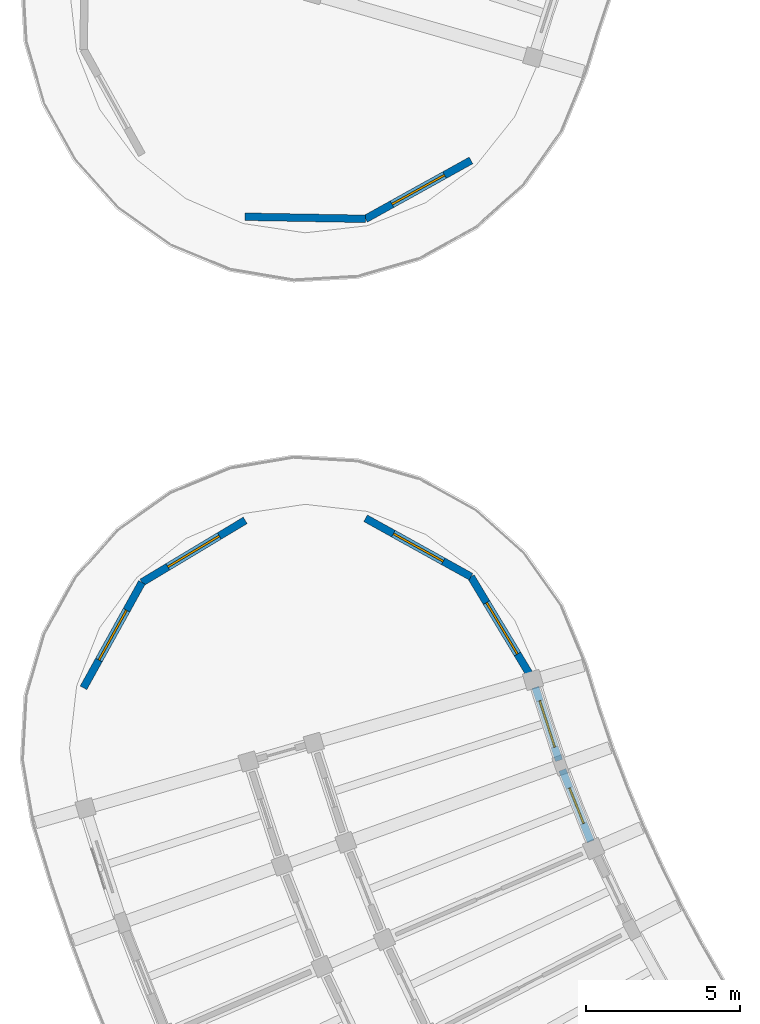
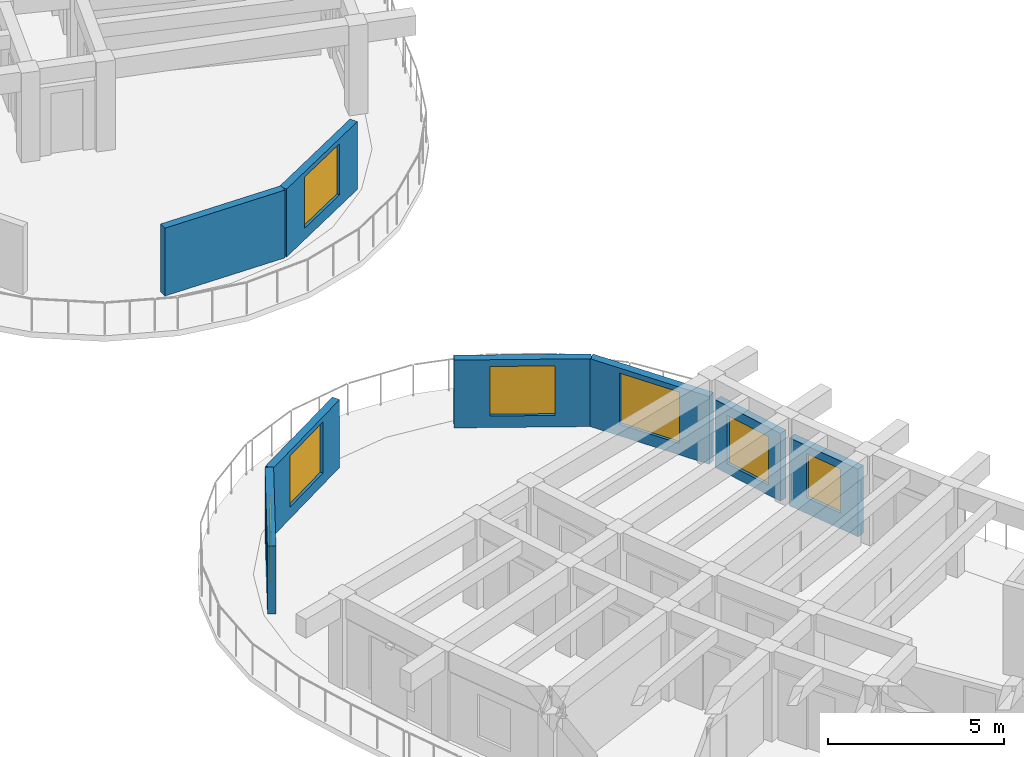
# One storey, part 44 of 81: 8 walls, 7 windows, 7 openings.
"""IFC4 building model written with IfcOpenShell, lengths in metres."""

from ifc_helpers import new_model, si_unit, direction, frame, frame_2d, origin, place, context, subcontext, project, spatial, rectangle, extrude, material, layer, layer_set, type_object, element, fill, save


model = new_model("IFC4")

# Units and contexts
model_context = context("Model", 3, precision=1e-05, world=origin(), true_north=direction((0.0, 1.0)))
body_context = subcontext(model_context, "Body", "Model", "MODEL_VIEW")
ifc_project = project(units=[si_unit("LENGTHUNIT", "METRE"), si_unit("AREAUNIT", "SQUARE_METRE"), si_unit("VOLUMEUNIT", "CUBIC_METRE"), si_unit("PLANEANGLEUNIT", "RADIAN"), si_unit("MASSUNIT", "GRAM", prefix="KILO")], contexts=[model_context])

# Site, building, storey
site_placement = place(None, origin())
site = spatial("IfcSite", under=ifc_project, at=site_placement, CompositionType="ELEMENT")
building_placement = place(site_placement, origin())
building = spatial("IfcBuilding", under=site, at=building_placement, Name="Tanwirah Colonnade Gardens", CompositionType="ELEMENT")
storey_placement = place(building_placement, frame((0.0, 0.0, 8.840087890625)))
storey = spatial("IfcBuildingStorey", under=building, at=storey_placement, Name="L02", CompositionType="ELEMENT", Elevation=8.840087890625)

# Wall, opening, window
ifc_material_1 = material(Name="Limestone architectural precast concrete C40/50", Category="masonry")
ifc_layer = layer(ifc_material_1, 0.2451171875)
ifc_layer_set = layer_set([ifc_layer], Name="Limestone architectural precast concrete C40/50")
wall_type = type_object("IfcWallType", Name="EW-PC245", PredefinedType="SOLIDWALL", material=ifc_layer_set)
wall_1_placement = place(storey_placement, frame((20.259033203125, 69.10205078125, 0.0), z_axis=(0.0, 0.0, 1.0), x_axis=(-0.874643043537, -0.484767517881, 0.0)))
wall_1 = element("IfcWall", 1, at=wall_1_placement, inside=storey, type_object=wall_type, Name="Block A L02 END Rounded End Wall 1", PredefinedType="SOLIDWALL", context=body_context, shape_type="SweptSolid", body=[
    extrude(rectangle(XDim=3.908203125, YDim=0.2451171875, at=frame_2d((1.9541015625, 0.0))), origin(), (0.0, 0.0, 1.0), 2.35498046875),
])
opening_1_placement = place(wall_1_placement, frame((0.97900390625, 0.0, 0.39990234375)))
opening_1 = element("IfcOpeningElement", 2, at=opening_1_placement, cuts=wall_1, Name="Opening WIN-END2", PredefinedType="OPENING", context=body_context, shape_type="SweptSolid", body=[
    extrude(rectangle(XDim=1.949951171875, YDim=1.780029296875, at=frame_2d((0.97509765625, 0.89013671875))), frame((0.0, 0.132568359375, 0.0), z_axis=(0.0, -1.0, 0.0), x_axis=(1.0, 0.0, 0.0)), (0.0, 0.0, 1.0), 0.26513671875),
])
ifc_material_2 = material(Name="Thermally broken bronze aluminium and solar low-E double glazing", Category="aluminium")
window_type_1 = type_object("IfcWindowType", Name="WIN-END2", PartitioningType="TRIPLE_PANEL_VERTICAL", PredefinedType="WINDOW", material=ifc_material_2)
window_1_placement = place(opening_1_placement, origin())
window_1 = element("IfcWindow", 3, at=window_1_placement, inside=storey, type_object=window_type_1, Name="Rounded corner window A-L02-END-1", OverallHeight=1.780029296875, OverallWidth=1.949951171875, PartitioningType="SINGLE_PANEL", PredefinedType="WINDOW", context=body_context, shape_type="SweptSolid", body=[
    extrude(rectangle(XDim=1.949951171875, YDim=1.780029296875, at=frame_2d((0.97509765625, 0.89013671875))), frame((0.0, 0.030029296875, 0.0), z_axis=(0.0, -1.0, 0.0), x_axis=(1.0, 0.0, 0.0)), (0.0, 0.0, 1.0), 0.06005859375),
])
fill(opening_1, window_1)

# Wall
wall_2_placement = place(storey_placement, frame((16.8408203125, 67.20751953125, 0.0), z_axis=(0.0, 0.0, 1.0), x_axis=(-0.999848096392, 0.017429404492, 0.0)))
element("IfcWall", 4, at=wall_2_placement, inside=storey, type_object=wall_type, Name="Block A L02 END Rounded End Wall 2", PredefinedType="SOLIDWALL", context=body_context, shape_type="SweptSolid", body=[
    extrude(rectangle(XDim=3.907958984375, YDim=0.2451171875, at=frame_2d((1.9541015625, 0.0))), origin(), (0.0, 0.0, 1.0), 2.35498046875),
])

# Wall, opening, window
wall_3_placement = place(storey_placement, frame((22.3486328125, 52.010009765625, 0.0), z_axis=(0.0, 0.0, 1.0), x_axis=(0.306979942778, -0.951715984279, 0.0)))
wall_3 = element("IfcWall", 5, at=wall_3_placement, inside=storey, type_object=wall_type, Name="Block C L02 IN Precast Facade Wall 0", PredefinedType="SOLIDWALL", context=body_context, shape_type="SweptSolid", body=[
    extrude(rectangle(XDim=2.498779296875, YDim=0.2451171875, at=frame_2d((1.24951171875, 0.0))), origin(), (0.0, 0.0, 1.0), 2.35498046875),
])
opening_2_placement = place(wall_3_placement, frame((0.45947265625, 0.0, 0.35009765625)))
opening_2 = element("IfcOpeningElement", 6, at=opening_2_placement, cuts=wall_3, Name="Opening WIN-T20", PredefinedType="OPENING", context=body_context, shape_type="SweptSolid", body=[
    extrude(rectangle(XDim=1.580078125, YDim=1.679931640625, at=frame_2d((0.7900390625, 0.83984375))), frame((0.0, 0.132568359375, 0.0), z_axis=(0.0, -1.0, 0.0), x_axis=(1.0, 0.0, 0.0)), (0.0, 0.0, 1.0), 0.26513671875),
])
window_type_2 = type_object("IfcWindowType", Name="WIN-T20", PartitioningType="DOUBLE_PANEL_VERTICAL", PredefinedType="WINDOW", material=ifc_material_2)
window_2_placement = place(opening_2_placement, origin())
window_2 = element("IfcWindow", 7, at=window_2_placement, inside=storey, type_object=window_type_2, Name="Facade window C-L02-IN-00", OverallHeight=1.679931640625, OverallWidth=1.580078125, PartitioningType="SINGLE_PANEL", PredefinedType="WINDOW", context=body_context, shape_type="SweptSolid", body=[
    extrude(rectangle(XDim=1.580078125, YDim=1.679931640625, at=frame_2d((0.7900390625, 0.83984375))), frame((0.0, 0.030029296875, 0.0), z_axis=(0.0, -1.0, 0.0), x_axis=(1.0, 0.0, 0.0)), (0.0, 0.0, 1.0), 0.06005859375),
])
fill(opening_2, window_2)

wall_4_placement = place(storey_placement, frame((23.2236328125, 49.330810546875, 0.0), z_axis=(0.0, 0.0, 1.0), x_axis=(0.368558756085, -0.9296044553, 0.0)))
wall_4 = element("IfcWall", 8, at=wall_4_placement, inside=storey, type_object=wall_type, Name="Block C L02 IN Precast Facade Wall 1", PredefinedType="SOLIDWALL", context=body_context, shape_type="SweptSolid", body=[
    extrude(rectangle(XDim=2.49853515625, YDim=0.2451171875, at=frame_2d((1.249267578125, 0.0))), origin(), (0.0, 0.0, 1.0), 2.35498046875),
])
opening_3_placement = place(wall_4_placement, frame((0.62939453125, 0.0, 0.550048828125)))
opening_3 = element("IfcOpeningElement", 9, at=opening_3_placement, cuts=wall_4, Name="Opening WIN-U03", PredefinedType="OPENING", context=body_context, shape_type="SweptSolid", body=[
    extrude(rectangle(XDim=1.239990234375, YDim=1.534912109375, at=frame_2d((0.6201171875, 0.767578125))), frame((0.0, 0.132568359375, 0.0), z_axis=(0.0, -1.0, 0.0), x_axis=(1.0, 0.0, 0.0)), (0.0, 0.0, 1.0), 0.26513671875),
])
window_type_3 = type_object("IfcWindowType", Name="WIN-U03", PartitioningType="DOUBLE_PANEL_VERTICAL", PredefinedType="WINDOW", material=ifc_material_2)
window_3_placement = place(opening_3_placement, origin())
window_3 = element("IfcWindow", 10, at=window_3_placement, inside=storey, type_object=window_type_3, Name="Facade window C-L02-IN-01", OverallHeight=1.534912109375, OverallWidth=1.239990234375, PartitioningType="SINGLE_PANEL", PredefinedType="WINDOW", context=body_context, shape_type="SweptSolid", body=[
    extrude(rectangle(XDim=1.239990234375, YDim=1.534912109375, at=frame_2d((0.6201171875, 0.767578125))), frame((0.0, 0.030029296875, 0.0), z_axis=(0.0, -1.0, 0.0), x_axis=(1.0, 0.0, 0.0)), (0.0, 0.0, 1.0), 0.06005859375),
])
fill(opening_3, window_3)

wall_5_placement = place(storey_placement, frame((7.688720703125, 51.993408203125, 0.0), z_axis=(0.0, 0.0, 1.0), x_axis=(0.48481530532, 0.874616555828, 0.0)))
wall_5 = element("IfcWall", 11, at=wall_5_placement, inside=storey, type_object=wall_type, Name="Block C L02 START Rounded End Wall 1", PredefinedType="SOLIDWALL", context=body_context, shape_type="SweptSolid", body=[
    extrude(rectangle(XDim=3.908203125, YDim=0.2451171875, at=frame_2d((1.9541015625, 0.0))), origin(), (0.0, 0.0, 1.0), 2.35498046875),
])
opening_4_placement = place(wall_5_placement, frame((1.029052734375, 0.0, 0.39990234375)))
opening_4 = element("IfcOpeningElement", 12, at=opening_4_placement, cuts=wall_5, Name="Opening WIN-END1", PredefinedType="OPENING", context=body_context, shape_type="SweptSolid", body=[
    extrude(rectangle(XDim=1.85009765625, YDim=1.719970703125, at=frame_2d((0.925048828125, 0.85986328125))), frame((0.0, 0.132568359375, 0.0), z_axis=(0.0, -1.0, 0.0), x_axis=(1.0, 0.0, 0.0)), (0.0, 0.0, 1.0), 0.26513671875),
])
window_type_4 = type_object("IfcWindowType", Name="WIN-END1", PartitioningType="TRIPLE_PANEL_VERTICAL", PredefinedType="WINDOW", material=ifc_material_2)
window_4_placement = place(opening_4_placement, origin())
window_4 = element("IfcWindow", 13, at=window_4_placement, inside=storey, type_object=window_type_4, Name="Rounded corner window C-L02-START-1", OverallHeight=1.719970703125, OverallWidth=1.85009765625, PartitioningType="SINGLE_PANEL", PredefinedType="WINDOW", context=body_context, shape_type="SweptSolid", body=[
    extrude(rectangle(XDim=1.85009765625, YDim=1.719970703125, at=frame_2d((0.925048828125, 0.85986328125))), frame((0.0, 0.030029296875, 0.0), z_axis=(0.0, -1.0, 0.0), x_axis=(1.0, 0.0, 0.0)), (0.0, 0.0, 1.0), 0.06005859375),
])
fill(opening_4, window_4)

wall_6_placement = place(storey_placement, frame((9.58349609375, 55.41162109375, 0.0), z_axis=(0.0, 0.0, 1.0), x_axis=(0.857178568309, 0.515019321998, 0.0)))
wall_6 = element("IfcWall", 14, at=wall_6_placement, inside=storey, type_object=wall_type, Name="Block C L02 START Rounded End Wall 2", PredefinedType="SOLIDWALL", context=body_context, shape_type="SweptSolid", body=[
    extrude(rectangle(XDim=3.907958984375, YDim=0.2451171875, at=frame_2d((1.9541015625, 0.0))), origin(), (0.0, 0.0, 1.0), 2.35498046875),
])
opening_5_placement = place(wall_6_placement, frame((0.97900390625, 0.0, 0.39990234375)))
opening_5 = element("IfcOpeningElement", 15, at=opening_5_placement, cuts=wall_6, Name="Opening WIN-END2", PredefinedType="OPENING", context=body_context, shape_type="SweptSolid", body=[
    extrude(rectangle(XDim=1.949951171875, YDim=1.780029296875, at=frame_2d((0.97509765625, 0.89013671875))), frame((0.0, 0.132568359375, 0.0), z_axis=(0.0, -1.0, 0.0), x_axis=(1.0, 0.0, 0.0)), (0.0, 0.0, 1.0), 0.26513671875),
])
window_5_placement = place(opening_5_placement, origin())
window_5 = element("IfcWindow", 16, at=window_5_placement, inside=storey, type_object=window_type_1, Name="Rounded corner window C-L02-START-2", OverallHeight=1.780029296875, OverallWidth=1.949951171875, PartitioningType="SINGLE_PANEL", PredefinedType="WINDOW", context=body_context, shape_type="SweptSolid", body=[
    extrude(rectangle(XDim=1.949951171875, YDim=1.780029296875, at=frame_2d((0.97509765625, 0.89013671875))), frame((0.0, 0.030029296875, 0.0), z_axis=(0.0, -1.0, 0.0), x_axis=(1.0, 0.0, 0.0)), (0.0, 0.0, 1.0), 0.06005859375),
])
fill(opening_5, window_5)

wall_7_placement = place(storey_placement, frame((16.8408203125, 57.49267578125, 0.0), z_axis=(0.0, 0.0, 1.0), x_axis=(0.874616555828, -0.48481530532, 0.0)))
wall_7 = element("IfcWall", 17, at=wall_7_placement, inside=storey, type_object=wall_type, Name="Block C L02 START Rounded End Wall 4", PredefinedType="SOLIDWALL", context=body_context, shape_type="SweptSolid", body=[
    extrude(rectangle(XDim=3.908203125, YDim=0.2451171875, at=frame_2d((1.9541015625, 0.0))), origin(), (0.0, 0.0, 1.0), 2.35498046875),
])
opening_6_placement = place(wall_7_placement, frame((1.029052734375, 0.0, 0.39990234375)))
opening_6 = element("IfcOpeningElement", 18, at=opening_6_placement, cuts=wall_7, Name="Opening WIN-END1", PredefinedType="OPENING", context=body_context, shape_type="SweptSolid", body=[
    extrude(rectangle(XDim=1.85009765625, YDim=1.719970703125, at=frame_2d((0.925048828125, 0.85986328125))), frame((0.0, 0.132568359375, 0.0), z_axis=(0.0, -1.0, 0.0), x_axis=(1.0, 0.0, 0.0)), (0.0, 0.0, 1.0), 0.26513671875),
])
window_6_placement = place(opening_6_placement, origin())
window_6 = element("IfcWindow", 19, at=window_6_placement, inside=storey, type_object=window_type_4, Name="Rounded corner window C-L02-START-4", OverallHeight=1.719970703125, OverallWidth=1.85009765625, PartitioningType="SINGLE_PANEL", PredefinedType="WINDOW", context=body_context, shape_type="SweptSolid", body=[
    extrude(rectangle(XDim=1.85009765625, YDim=1.719970703125, at=frame_2d((0.925048828125, 0.85986328125))), frame((0.0, 0.030029296875, 0.0), z_axis=(0.0, -1.0, 0.0), x_axis=(1.0, 0.0, 0.0)), (0.0, 0.0, 1.0), 0.06005859375),
])
fill(opening_6, window_6)

wall_8_placement = place(storey_placement, frame((20.259033203125, 55.597900390625, 0.0), z_axis=(0.0, 0.0, 1.0), x_axis=(0.515037642827, -0.857167560324, 0.0)))
wall_8 = element("IfcWall", 20, at=wall_8_placement, inside=storey, type_object=wall_type, Name="Block C L02 START Rounded End Wall 5", PredefinedType="SOLIDWALL", context=body_context, shape_type="SweptSolid", body=[
    extrude(rectangle(XDim=3.908447265625, YDim=0.2451171875, at=frame_2d((1.9541015625, 0.0))), origin(), (0.0, 0.0, 1.0), 2.35498046875),
])
opening_7_placement = place(wall_8_placement, frame((0.97900390625, 0.0, 0.39990234375)))
opening_7 = element("IfcOpeningElement", 21, at=opening_7_placement, cuts=wall_8, Name="Opening WIN-END2", PredefinedType="OPENING", context=body_context, shape_type="SweptSolid", body=[
    extrude(rectangle(XDim=1.949951171875, YDim=1.780029296875, at=frame_2d((0.97509765625, 0.89013671875))), frame((0.0, 0.132568359375, 0.0), z_axis=(0.0, -1.0, 0.0), x_axis=(1.0, 0.0, 0.0)), (0.0, 0.0, 1.0), 0.26513671875),
])
window_7_placement = place(opening_7_placement, origin())
window_7 = element("IfcWindow", 22, at=window_7_placement, inside=storey, type_object=window_type_1, Name="Rounded corner window C-L02-START-5", OverallHeight=1.780029296875, OverallWidth=1.949951171875, PartitioningType="SINGLE_PANEL", PredefinedType="WINDOW", context=body_context, shape_type="SweptSolid", body=[
    extrude(rectangle(XDim=1.949951171875, YDim=1.780029296875, at=frame_2d((0.97509765625, 0.89013671875))), frame((0.0, 0.030029296875, 0.0), z_axis=(0.0, -1.0, 0.0), x_axis=(1.0, 0.0, 0.0)), (0.0, 0.0, 1.0), 0.06005859375),
])
fill(opening_7, window_7)

save(model, "model.ifc")
